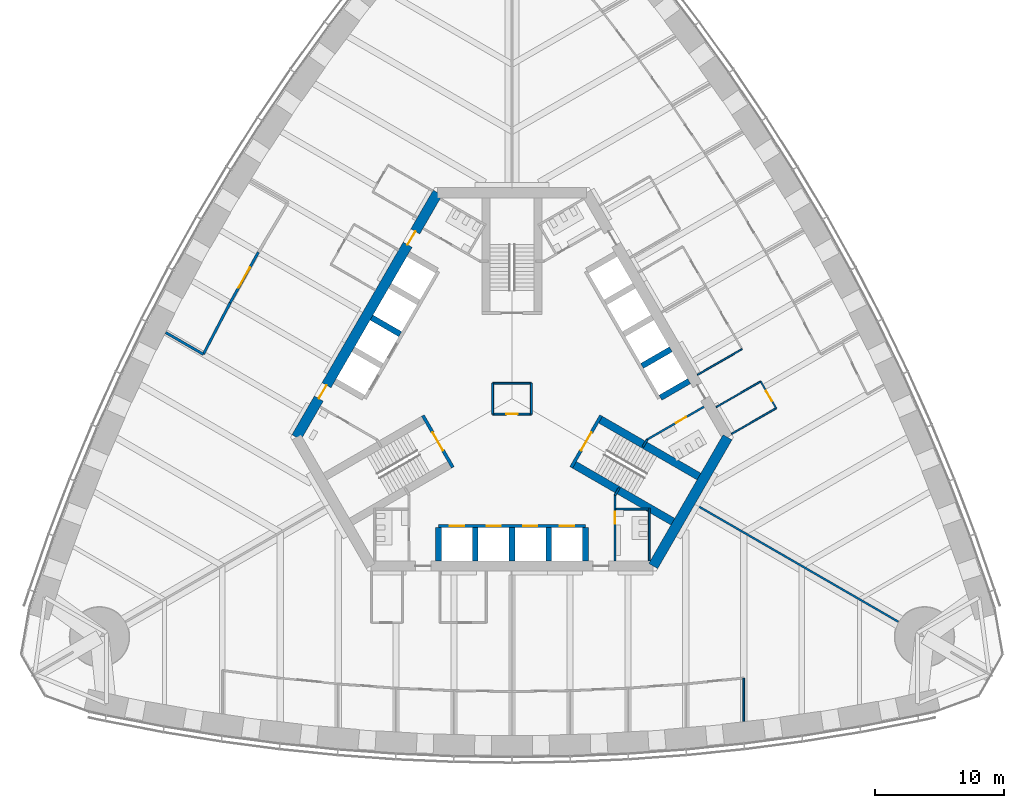
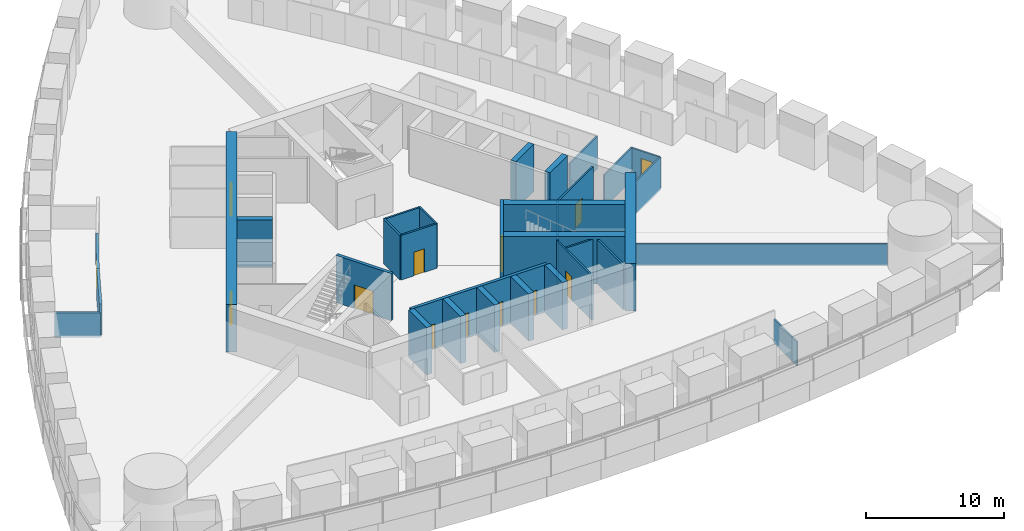
# One storey, part 11 of 18: 34 walls, 13 doors, 13 openings.
"""IFC4 building model written with IfcOpenShell, lengths in metres."""

from ifc_helpers import new_model, si_unit, direction, frame, frame_2d, origin, place, context, subcontext, project, spatial, rectangle, extrude, material, layer, layer_set, type_object, element, fill, save


model = new_model("IFC4")

# Units and contexts
model_context = context("Model", 3, precision=1e-05, world=origin(), true_north=direction((0.0, 1.0)))
body_context = subcontext(model_context, "Body", "Model", "MODEL_VIEW")
ifc_project = project(units=[si_unit("LENGTHUNIT", "METRE"), si_unit("AREAUNIT", "SQUARE_METRE"), si_unit("VOLUMEUNIT", "CUBIC_METRE"), si_unit("PLANEANGLEUNIT", "RADIAN"), si_unit("MASSUNIT", "GRAM", prefix="KILO")], contexts=[model_context])

# Site, building, storey
site_placement = place(None, origin())
site = spatial("IfcSite", under=ifc_project, at=site_placement, CompositionType="ELEMENT")
building_placement = place(site_placement, origin())
building = spatial("IfcBuilding", under=site, at=building_placement, Name="Trefoil Bronze Tower", CompositionType="ELEMENT")
storey_placement = place(building_placement, frame((0.0, 0.0, 87.89990234375)))
storey = spatial("IfcBuildingStorey", under=building, at=storey_placement, Name="L20", CompositionType="ELEMENT", Elevation=87.89990234375)

# Wall, opening, door
ifc_material_1 = material(Name="Gypsum board on steel studs", Category="steel")
ifc_layer_1 = layer(ifc_material_1, 0.199951171875)
ifc_layer_set_1 = layer_set([ifc_layer_1], Name="Acoustic partition 200")
wall_type_1 = type_object("IfcWallType", Name="Acoustic partition 200", PredefinedType="PARTITIONING", material=ifc_layer_set_1)
wall_1_placement = place(storey_placement, frame((-19.700927734375, 11.374267578125, 0.0), z_axis=(0.0, 0.0, 1.0), x_axis=(-0.487415216275, -0.87317031955, 0.0)))
wall_1 = element("IfcWall", 1, at=wall_1_placement, inside=storey, type_object=wall_type_1, Name="Partition F3 L20", PredefinedType="PARTITIONING", context=body_context, shape_type="SweptSolid", body=[
    extrude(rectangle(XDim=4.50048828125, YDim=0.199951171875, at=frame_2d((2.250244140625, 0.0))), origin(), (0.0, 0.0, 1.0), 2.900146484375),
])
opening_1_placement = place(wall_1_placement, frame((1.35009765625, 0.0, 0.14990234375)))
opening_1 = element("IfcOpeningElement", 2, at=opening_1_placement, cuts=wall_1, Name="Opening D10", PredefinedType="OPENING", context=body_context, shape_type="SweptSolid", body=[
    extrude(rectangle(XDim=1.800048828125, YDim=2.10009765625, at=frame_2d((0.89990234375, 1.050048828125))), frame((0.0, 0.10986328125, 0.0), z_axis=(0.0, -1.0, 0.0), x_axis=(1.0, 0.0, 0.0)), (0.0, 0.0, 1.0), 0.219970703125),
])
ifc_material_2 = material(Name="Timber door", Category="wood")
door_type_1 = type_object("IfcDoorType", Name="Double door 1800", OperationType="DOUBLE_DOOR_SINGLE_SWING", PredefinedType="DOOR", material=ifc_material_2)
door_1_placement = place(opening_1_placement, frame((1.800048828125, 0.0, 0.0), z_axis=(0.0, 0.0, 1.0), x_axis=(-1.0, 0.0, 0.0)))
door_1 = element("IfcDoor", 3, at=door_1_placement, inside=storey, type_object=door_type_1, Name="Training room door F3 L20", OperationType="DOUBLE_DOOR_SINGLE_SWING", OverallHeight=2.10009765625, OverallWidth=1.800048828125, PredefinedType="DOOR", context=body_context, shape_type="SweptSolid", body=[
    extrude(rectangle(XDim=1.800048828125, YDim=2.10009765625, at=frame_2d((0.89990234375, 1.050048828125))), frame((0.0, 0.02490234375, 0.0), z_axis=(0.0, -1.0, 0.0), x_axis=(1.0, 0.0, 0.0)), (0.0, 0.0, 1.0), 0.050048828125),
])
fill(opening_1, door_1)

# Walls
wall_2_placement = place(storey_placement, frame((-21.89453125, 7.444580078125, 0.0), z_axis=(0.0, 0.0, 1.0), x_axis=(-0.461810056307, -0.886978845235, 0.0)))
element("IfcWall", 4, at=wall_2_placement, inside=storey, type_object=wall_type_1, Name="Partition F3 L20", PredefinedType="PARTITIONING", context=body_context, shape_type="SweptSolid", body=[
    extrude(rectangle(XDim=4.504150390625, YDim=0.199951171875, at=frame_2d((2.251953125, 0.0))), origin(), (0.0, 0.0, 1.0), 2.900146484375),
])
wall_3_placement = place(storey_placement, frame((-23.974609375, 3.449462890625, 0.0), z_axis=(0.0, 0.0, 1.0), x_axis=(-0.866039498442, 0.499975586543, 0.0)))
element("IfcWall", 5, at=wall_3_placement, inside=storey, type_object=wall_type_1, Name="Partition F3 L20", PredefinedType="PARTITIONING", context=body_context, shape_type="SweptSolid", body=[
    extrude(rectangle(XDim=3.367431640625, YDim=0.199951171875, at=frame_2d((1.68359375, 0.0))), origin(), (0.0, 0.0, 1.0), 2.150146484375),
])
ifc_material_3 = material(Name="Concrete B80", Category="concrete")
ifc_layer_2 = layer(ifc_material_3, 0.800048828125)
ifc_layer_set_2 = layer_set([ifc_layer_2], Name="Core wall 800")
wall_type_2 = type_object("IfcWallType", Name="Core wall 800", PredefinedType="SHEAR", material=ifc_layer_set_2)
wall_4_placement = place(storey_placement, frame((10.9697265625, -13.0, 0.0), z_axis=(0.0, 0.0, 1.0), x_axis=(0.499995765644, 0.866027848477, 0.0)))
element("IfcWall", 6, at=wall_4_placement, inside=storey, type_object=wall_type_2, Name="Core short wall 1 L20", PredefinedType="SHEAR", context=body_context, shape_type="SweptSolid", body=[
    extrude(rectangle(XDim=11.546875, YDim=0.800048828125, at=frame_2d((5.7734375, 0.0))), origin(), (0.0, 0.0, 1.0), 4.2001953125),
])

# Wall, openings, doors
wall_5_placement = place(storey_placement, frame((-5.7734375, 16.0, 0.0), z_axis=(0.0, 0.0, 1.0), x_axis=(-0.500002442456, -0.866023993627, 0.0)))
wall_5 = element("IfcWall", 7, at=wall_5_placement, inside=storey, type_object=wall_type_2, Name="Core long wall 3 L20", PredefinedType="SHEAR", context=body_context, shape_type="SweptSolid", body=[
    extrude(rectangle(XDim=21.939453125, YDim=0.800048828125, at=frame_2d((10.9697265625, 0.0))), origin(), (0.0, 0.0, 1.0), 4.2001953125),
])
opening_2_placement = place(wall_5_placement, frame((17.269775390625, 0.0, 0.0)))
opening_2 = element("IfcOpeningElement", 8, at=opening_2_placement, cuts=wall_5, Name="Opening D2", PredefinedType="OPENING", context=body_context, shape_type="SweptSolid", body=[
    extrude(rectangle(XDim=1.199951171875, YDim=2.10009765625, at=frame_2d((0.60009765625, 1.050048828125))), frame((0.0, 0.409912109375, 0.0), z_axis=(0.0, -1.0, 0.0), x_axis=(1.0, 0.0, 0.0)), (0.0, 0.0, 1.0), 0.820068359375),
])
opening_3_placement = place(wall_5_placement, frame((3.4697265625, 0.0, 0.0)))
opening_3 = element("IfcOpeningElement", 9, at=opening_3_placement, cuts=wall_5, Name="Opening D2", PredefinedType="OPENING", context=body_context, shape_type="SweptSolid", body=[
    extrude(rectangle(XDim=1.199951171875, YDim=2.10009765625, at=frame_2d((0.60009765625, 1.050048828125))), frame((0.0, 0.409912109375, 0.0), z_axis=(0.0, -1.0, 0.0), x_axis=(1.0, 0.0, 0.0)), (0.0, 0.0, 1.0), 0.820068359375),
])
ifc_material_4 = material(Name="Steel door", Category="steel")
door_type_2 = type_object("IfcDoorType", Name="Lobby door 1200", OperationType="SINGLE_SWING_RIGHT", PredefinedType="DOOR", material=ifc_material_4)
door_2_placement = place(opening_2_placement, origin())
door_2 = element("IfcDoor", 10, at=door_2_placement, inside=storey, type_object=door_type_2, Name="Lobby door F3+ L20", OperationType="SINGLE_SWING_RIGHT", OverallHeight=2.10009765625, OverallWidth=1.199951171875, PredefinedType="DOOR", context=body_context, shape_type="SweptSolid", body=[
    extrude(rectangle(XDim=1.199951171875, YDim=2.10009765625, at=frame_2d((0.60009765625, 1.050048828125))), frame((0.0, 0.02490234375, 0.0), z_axis=(0.0, -1.0, 0.0), x_axis=(1.0, 0.0, 0.0)), (0.0, 0.0, 1.0), 0.050048828125),
])
fill(opening_2, door_2)
door_3_placement = place(opening_3_placement, origin())
door_3 = element("IfcDoor", 11, at=door_3_placement, inside=storey, type_object=door_type_2, Name="Lobby door F3- L20", OperationType="SINGLE_SWING_LEFT", OverallHeight=2.10009765625, OverallWidth=1.199951171875, PredefinedType="DOOR", context=body_context, shape_type="SweptSolid", body=[
    extrude(rectangle(XDim=1.199951171875, YDim=2.10009765625, at=frame_2d((0.60009765625, 1.050048828125))), frame((0.0, 0.02490234375, 0.0), z_axis=(0.0, -1.0, 0.0), x_axis=(1.0, 0.0, 0.0)), (0.0, 0.0, 1.0), 0.050048828125),
])
fill(opening_3, door_3)

# Wall
ifc_material_5 = material(Name="Glazed partition", Category="glass")
ifc_layer_3 = layer(ifc_material_5, 0.1201171875)
ifc_layer_set_3 = layer_set([ifc_layer_3], Name="Glazed partition 120")
wall_type_3 = type_object("IfcWallType", Name="Glazed partition 120", PredefinedType="PARTITIONING", material=ifc_layer_set_3)
wall_6_placement = place(storey_placement, frame((18.0, -21.70068359375, 0.0), z_axis=(0.0, 0.0, 1.0), x_axis=(0.0, -1.0, 0.0)))
element("IfcWall", 12, at=wall_6_placement, inside=storey, type_object=wall_type_3, Name="Partition F1 L20", PredefinedType="PARTITIONING", context=body_context, shape_type="SweptSolid", body=[
    extrude(rectangle(XDim=3.35888671875, YDim=0.1201171875, at=frame_2d((1.679443359375, 0.0))), origin(), (0.0, 0.0, 1.0), 2.150146484375),
])

# Wall, opening, door
wall_7_placement = place(storey_placement, frame((20.518798828125, -0.73974609375, 0.0), z_axis=(0.0, 0.0, 1.0), x_axis=(-0.499957262057, 0.866050077142, 0.0)))
wall_7 = element("IfcWall", 13, at=wall_7_placement, inside=storey, type_object=wall_type_3, Name="Partition F2 L20", PredefinedType="PARTITIONING", context=body_context, shape_type="SweptSolid", body=[
    extrude(rectangle(XDim=2.400146484375, YDim=0.1201171875, at=frame_2d((1.2001953125, 0.0))), origin(), (0.0, 0.0, 1.0), 2.900146484375),
])
opening_4_placement = place(wall_7_placement, frame((0.64990234375, 0.0, 0.14990234375)))
opening_4 = element("IfcOpeningElement", 14, at=opening_4_placement, cuts=wall_7, Name="Opening D8", PredefinedType="OPENING", context=body_context, shape_type="SweptSolid", body=[
    extrude(rectangle(XDim=0.89990234375, YDim=2.10009765625, at=frame_2d((0.449951171875, 1.050048828125))), frame((0.0, 0.070068359375, 0.0), z_axis=(0.0, -1.0, 0.0), x_axis=(1.0, 0.0, 0.0)), (0.0, 0.0, 1.0), 0.14013671875),
])
ifc_material_6 = material(Name="Timber door", Category="wood")
door_type_3 = type_object("IfcDoorType", Name="Office door 900", OperationType="SINGLE_SWING_LEFT", PredefinedType="DOOR", material=ifc_material_6)
door_4_placement = place(opening_4_placement, origin())
door_4 = element("IfcDoor", 15, at=door_4_placement, inside=storey, type_object=door_type_3, Name="Print and store room door F2 L20", OperationType="SINGLE_SWING_LEFT", OverallHeight=2.10009765625, OverallWidth=0.89990234375, PredefinedType="DOOR", context=body_context, shape_type="SweptSolid", body=[
    extrude(rectangle(XDim=0.89990234375, YDim=2.10009765625, at=frame_2d((0.449951171875, 1.050048828125))), frame((0.0, 0.02490234375, 0.0), z_axis=(0.0, -1.0, 0.0), x_axis=(1.0, 0.0, 0.0)), (0.0, 0.0, 1.0), 0.050048828125),
])
fill(opening_4, door_4)

# Walls
for number, where, z_axis, x_axis, name in (
    (16, (17.0546875, -2.73974609375, 0.0), (0.0, 0.0, 1.0), (0.866026010844, 0.49999894854, 0.0), "Partition F2 L20"),
    (17, (14.40478515625, 1.850341796875, 0.0), (0.0, 0.0, 1.0), (0.866026010844, 0.49999894854, 0.0), "Partition F2 L20"),
    (18, (15.854736328125, -0.6611328125, 0.0), (0.0, 0.0, 1.0), (0.866026010844, 0.49999894854, 0.0), "Partition F2 L20"),
):
    element("IfcWall", number, at=place(storey_placement, frame(where, z_axis=z_axis, x_axis=x_axis)), inside=storey, type_object=wall_type_3, Name=name, PredefinedType="PARTITIONING", context=body_context, shape_type="SweptSolid", body=[
        extrude(rectangle(XDim=4.0, YDim=0.1201171875, at=frame_2d((2.0, 0.0))), origin(), (0.0, 0.0, 1.0), 2.900146484375),
    ])
ifc_material_7 = material(Name="Concrete B80", Category="concrete")
ifc_layer_4 = layer(ifc_material_7, 0.449951171875)
ifc_layer_set_4 = layer_set([ifc_layer_4], Name="Outrigger shaft wall 450")
wall_type_4 = type_object("IfcWallType", Name="Outrigger shaft wall 450", PredefinedType="SHEAR", material=ifc_layer_set_4)
for number, where, z_axis, x_axis, name in (
    (19, (-5.699951171875, -10.02490234375, 0.0), (0.0, 0.0, 1.0), (0.0, -1.0, 0.0), "Lift shaft side wall A0 L20"),
    (20, (-2.85009765625, -10.02490234375, 0.0), (0.0, 0.0, 1.0), (0.0, -1.0, 0.0), "Lift shaft side wall A1 L20"),
    (21, (0.0, -10.02490234375, 0.0), (0.0, 0.0, 1.0), (0.0, -1.0, 0.0), "Lift shaft side wall A2 L20"),
    (22, (2.85009765625, -10.02490234375, 0.0), (0.0, 0.0, 1.0), (0.0, -1.0, 0.0), "Lift shaft side wall A3 L20"),
    (23, (5.699951171875, -10.02490234375, 0.0), (0.0, 0.0, 1.0), (0.0, -1.0, 0.0), "Lift shaft side wall A4 L20"),
):
    element("IfcWall", number, at=place(storey_placement, frame(where, z_axis=z_axis, x_axis=x_axis)), inside=storey, type_object=wall_type_4, Name=name, PredefinedType="SHEAR", context=body_context, shape_type="SweptSolid", body=[
        extrude(rectangle(XDim=2.5751953125, YDim=0.449951171875, at=frame_2d((1.28759765625, 0.0))), origin(), (0.0, 0.0, 1.0), 4.2001953125),
    ])
for number, where, z_axis, x_axis, name in (
    (24, (11.531982421875, 0.076171875, 0.0), (0.0, 0.0, 1.0), (0.866005588531, 0.500034319456, 0.0), "Lift shaft side wall B0 L20"),
    (25, (10.10693359375, 2.54443359375, 0.0), (0.0, 0.0, 1.0), (0.866046643894, 0.499963209246, 0.0), "Lift shaft side wall B1 L20"),
    (26, (-8.681884765625, 5.012451171875, 0.0), (0.0, 0.0, 1.0), (-0.866005588531, 0.500034319456, 0.0), "Lift shaft side wall C2 L20"),
):
    element("IfcWall", number, at=place(storey_placement, frame(where, z_axis=z_axis, x_axis=x_axis)), inside=storey, type_object=wall_type_4, Name=name, PredefinedType="SHEAR", context=body_context, shape_type="SweptSolid", body=[
        extrude(rectangle(XDim=2.574951171875, YDim=0.449951171875, at=frame_2d((1.28759765625, 0.0))), origin(), (0.0, 0.0, 1.0), 4.2001953125),
    ])

# Wall, opening, door
ifc_material_8 = material(Name="Gypsum board on steel studs", Category="steel")
ifc_layer_5 = layer(ifc_material_8, 0.14990234375)
ifc_layer_set_5 = layer_set([ifc_layer_5], Name="Partition 150")
wall_type_5 = type_object("IfcWallType", Name="Partition 150", PredefinedType="PARTITIONING", material=ifc_layer_set_5)
wall_8_placement = place(storey_placement, frame((8.0, -7.5, 0.0), z_axis=(0.0, 0.0, 1.0), x_axis=(0.0, -1.0, 0.0)))
wall_8 = element("IfcWall", 27, at=wall_8_placement, inside=storey, type_object=wall_type_5, Name="Passage wall F1+ L20", PredefinedType="PARTITIONING", context=body_context, shape_type="SweptSolid", body=[
    extrude(rectangle(XDim=5.10009765625, YDim=0.14990234375, at=frame_2d((2.550048828125, 0.0))), origin(), (0.0, 0.0, 1.0), 3.9501953125),
])
opening_5_placement = place(wall_8_placement, frame((1.300048828125, 0.0, 0.0)))
opening_5 = element("IfcOpeningElement", 28, at=opening_5_placement, cuts=wall_8, Name="Opening D3", PredefinedType="OPENING", context=body_context, shape_type="SweptSolid", body=[
    extrude(rectangle(XDim=0.89990234375, YDim=2.10009765625, at=frame_2d((0.449951171875, 1.050048828125))), frame((0.0, 0.0849609375, 0.0), z_axis=(0.0, -1.0, 0.0), x_axis=(1.0, 0.0, 0.0)), (0.0, 0.0, 1.0), 0.169921875),
])
ifc_material_9 = material(Name="Timber door", Category="wood")
door_type_4 = type_object("IfcDoorType", Name="WC door 900", OperationType="SINGLE_SWING_LEFT", PredefinedType="DOOR", material=ifc_material_9)
door_5_placement = place(opening_5_placement, origin())
door_5 = element("IfcDoor", 29, at=door_5_placement, inside=storey, type_object=door_type_4, Name="WC (men) door L20", OperationType="SINGLE_SWING_LEFT", OverallHeight=2.10009765625, OverallWidth=0.89990234375, PredefinedType="DOOR", context=body_context, shape_type="SweptSolid", body=[
    extrude(rectangle(XDim=0.89990234375, YDim=2.10009765625, at=frame_2d((0.449951171875, 1.050048828125))), frame((0.0, 0.02490234375, 0.0), z_axis=(0.0, -1.0, 0.0), x_axis=(1.0, 0.0, 0.0)), (0.0, 0.0, 1.0), 0.050048828125),
])
fill(opening_5, door_5)

wall_9_placement = place(storey_placement, frame((10.4951171875, -3.17822265625, 0.0), z_axis=(0.0, 0.0, 1.0), x_axis=(0.86602216432, 0.500005610874, 0.0)))
wall_9 = element("IfcWall", 30, at=wall_9_placement, inside=storey, type_object=wall_type_5, Name="Passage wall F2- L20", PredefinedType="PARTITIONING", context=body_context, shape_type="SweptSolid", body=[
    extrude(rectangle(XDim=5.10009765625, YDim=0.14990234375, at=frame_2d((2.550048828125, 0.0))), origin(), (0.0, 0.0, 1.0), 3.9501953125),
])
opening_6_placement = place(wall_9_placement, frame((2.60009765625, 0.0, 0.0)))
opening_6 = element("IfcOpeningElement", 31, at=opening_6_placement, cuts=wall_9, Name="Opening D3", PredefinedType="OPENING", context=body_context, shape_type="SweptSolid", body=[
    extrude(rectangle(XDim=0.89990234375, YDim=2.10009765625, at=frame_2d((0.449951171875, 1.050048828125))), frame((0.0, 0.0849609375, 0.0), z_axis=(0.0, -1.0, 0.0), x_axis=(1.0, 0.0, 0.0)), (0.0, 0.0, 1.0), 0.169921875),
])
door_6_placement = place(opening_6_placement, frame((0.89990234375, 0.0, 0.0), z_axis=(0.0, 0.0, 1.0), x_axis=(-1.0, 0.0, 0.0)))
door_6 = element("IfcDoor", 32, at=door_6_placement, inside=storey, type_object=door_type_4, Name="WC (women) door L20", OperationType="SINGLE_SWING_LEFT", OverallHeight=2.10009765625, OverallWidth=0.89990234375, PredefinedType="DOOR", context=body_context, shape_type="SweptSolid", body=[
    extrude(rectangle(XDim=0.89990234375, YDim=2.10009765625, at=frame_2d((0.449951171875, 1.050048828125))), frame((0.0, 0.02490234375, 0.0), z_axis=(0.0, -1.0, 0.0), x_axis=(1.0, 0.0, 0.0)), (0.0, 0.0, 1.0), 0.050048828125),
])
fill(opening_6, door_6)

# Walls
for number, where, z_axis, x_axis, name in (
    (33, (8.0, -7.5, 0.0), (0.0, 0.0, 1.0), (0.499842556608, 0.866116284689, 0.0), "WC wall ST1-1 L20"),
    (34, (10.4951171875, -3.17822265625, 0.0), (0.0, 0.0, 1.0), (-0.499842556608, -0.866116284689, 0.0), "WC wall ST1+1 L20"),
):
    element("IfcWall", number, at=place(storey_placement, frame(where, z_axis=z_axis, x_axis=x_axis)), inside=storey, type_object=wall_type_5, Name=name, PredefinedType="PARTITIONING", context=body_context, shape_type="SweptSolid", body=[
        extrude(rectangle(XDim=0.645263671875, YDim=0.14990234375, at=frame_2d((0.32275390625, 0.0))), origin(), (0.0, 0.0, 1.0), 3.9501953125),
    ])
wall_10_placement = place(storey_placement, frame((10.659912109375, -8.5, 0.0), z_axis=(0.0, 0.0, 1.0), x_axis=(0.0, -1.0, 0.0)))
element("IfcWall", 35, at=wall_10_placement, inside=storey, type_object=wall_type_5, Name="WC partition WC (men) L20", PredefinedType="PARTITIONING", context=body_context, shape_type="SweptSolid", body=[
    extrude(rectangle(XDim=4.10009765625, YDim=0.14990234375, at=frame_2d((2.050048828125, 0.0))), origin(), (0.0, 0.0, 1.0), 3.9501953125),
])
wall_11_placement = place(storey_placement, frame((8.074951171875, -8.574951171875, 0.0), z_axis=(0.0, 0.0, 1.0), x_axis=(1.0, 0.0, 0.0)))
element("IfcWall", 36, at=wall_11_placement, inside=storey, type_object=wall_type_5, Name="WC partition WC (men) L20", PredefinedType="PARTITIONING", context=body_context, shape_type="SweptSolid", body=[
    extrude(rectangle(XDim=2.510009765625, YDim=0.14990234375, at=frame_2d((1.2548828125, 0.0))), origin(), (0.0, 0.0, 1.0), 3.9501953125),
])
ifc_material_10 = material(Name="Gypsum board on steel studs", Category="steel")
ifc_layer_6 = layer(ifc_material_10, 0.14990234375)
ifc_layer_set_6 = layer_set([ifc_layer_6], Name="Party wall 150")
wall_type_6 = type_object("IfcWallType", Name="Party wall 150", PredefinedType="PARTITIONING", material=ifc_layer_set_6)
wall_12_placement = place(storey_placement, frame((14.202880859375, -8.199951171875, 0.0), z_axis=(0.0, 0.0, 1.0), x_axis=(0.866024965723, -0.500000758745, 0.0)))
element("IfcWall", 37, at=wall_12_placement, inside=storey, type_object=wall_type_6, Name="Party wall K1 L20", PredefinedType="PARTITIONING", context=body_context, shape_type="SweptSolid", body=[
    extrude(rectangle(XDim=18.25, YDim=0.14990234375, at=frame_2d((9.125, 0.0))), origin(), (0.0, 0.0, 1.0), 1.9501953125),
])

# Wall, opening, door
ifc_material_11 = material(Name="Gypsum board on steel studs", Category="steel")
ifc_layer_7 = layer(ifc_material_11, 0.14990234375)
ifc_layer_set_7 = layer_set([ifc_layer_7], Name="Riser wall 150")
wall_type_7 = type_object("IfcWallType", Name="Riser wall 150", PredefinedType="PARTITIONING", material=ifc_layer_set_7)
wall_13_placement = place(storey_placement, frame((-1.5, -1.199951171875, 0.0), z_axis=(0.0, 0.0, 1.0), x_axis=(1.0, 0.0, 0.0)))
wall_13 = element("IfcWall", 38, at=wall_13_placement, inside=storey, type_object=wall_type_7, Name="Riser wall L20", PredefinedType="PARTITIONING", context=body_context, shape_type="SweptSolid", body=[
    extrude(rectangle(XDim=3.0, YDim=0.14990234375, at=frame_2d((1.5, 0.0))), origin(), (0.0, 0.0, 1.0), 3.9501953125),
])
opening_7_placement = place(wall_13_placement, frame((1.050048828125, 0.0, 0.0)))
opening_7 = element("IfcOpeningElement", 39, at=opening_7_placement, cuts=wall_13, Name="Opening D4", PredefinedType="OPENING", context=body_context, shape_type="SweptSolid", body=[
    extrude(rectangle(XDim=0.89990234375, YDim=2.10009765625, at=frame_2d((0.449951171875, 1.050048828125))), frame((0.0, 0.0849609375, 0.0), z_axis=(0.0, -1.0, 0.0), x_axis=(1.0, 0.0, 0.0)), (0.0, 0.0, 1.0), 0.169921875),
])
ifc_material_12 = material(Name="Steel door", Category="steel")
door_type_5 = type_object("IfcDoorType", Name="Riser door 900", OperationType="SINGLE_SWING_LEFT", PredefinedType="DOOR", material=ifc_material_12)
door_7_placement = place(opening_7_placement, frame((0.89990234375, 0.0, 0.0), z_axis=(0.0, 0.0, 1.0), x_axis=(-1.0, 0.0, 0.0)))
door_7 = element("IfcDoor", 40, at=door_7_placement, inside=storey, type_object=door_type_5, Name="Riser door L20", OperationType="SINGLE_SWING_LEFT", OverallHeight=2.10009765625, OverallWidth=0.89990234375, PredefinedType="DOOR", context=body_context, shape_type="SweptSolid", body=[
    extrude(rectangle(XDim=0.89990234375, YDim=2.10009765625, at=frame_2d((0.449951171875, 1.050048828125))), frame((0.0, 0.02490234375, 0.0), z_axis=(0.0, -1.0, 0.0), x_axis=(1.0, 0.0, 0.0)), (0.0, 0.0, 1.0), 0.050048828125),
])
fill(opening_7, door_7)

# Walls
wall_14_placement = place(storey_placement, frame((1.5, -1.199951171875, 0.0), z_axis=(0.0, 0.0, 1.0), x_axis=(0.0, 1.0, 0.0)))
element("IfcWall", 41, at=wall_14_placement, inside=storey, type_object=wall_type_7, Name="Riser wall L20", PredefinedType="PARTITIONING", context=body_context, shape_type="SweptSolid", body=[
    extrude(rectangle(XDim=2.39990234375, YDim=0.14990234375, at=frame_2d((1.199951171875, 0.0))), origin(), (0.0, 0.0, 1.0), 3.9501953125),
])
wall_15_placement = place(storey_placement, frame((1.5, 1.199951171875, 0.0), z_axis=(0.0, 0.0, 1.0), x_axis=(-1.0, 0.0, 0.0)))
element("IfcWall", 42, at=wall_15_placement, inside=storey, type_object=wall_type_7, Name="Riser wall L20", PredefinedType="PARTITIONING", context=body_context, shape_type="SweptSolid", body=[
    extrude(rectangle(XDim=3.0, YDim=0.14990234375, at=frame_2d((1.5, 0.0))), origin(), (0.0, 0.0, 1.0), 3.9501953125),
])
wall_16_placement = place(storey_placement, frame((-1.5, 1.199951171875, 0.0), z_axis=(0.0, 0.0, 1.0), x_axis=(0.0, -1.0, 0.0)))
element("IfcWall", 43, at=wall_16_placement, inside=storey, type_object=wall_type_7, Name="Riser wall L20", PredefinedType="PARTITIONING", context=body_context, shape_type="SweptSolid", body=[
    extrude(rectangle(XDim=2.39990234375, YDim=0.14990234375, at=frame_2d((1.199951171875, 0.0))), origin(), (0.0, 0.0, 1.0), 3.9501953125),
])

# Wall, openings, doors
ifc_material_13 = material(Name="Concrete B80", Category="concrete")
ifc_layer_8 = layer(ifc_material_13, 0.25)
ifc_layer_set_8 = layer_set([ifc_layer_8], Name="Shaft wall 250")
wall_type_8 = type_object("IfcWallType", Name="Shaft wall 250", PredefinedType="SHEAR", material=ifc_layer_set_8)
wall_17_placement = place(storey_placement, frame((-5.699951171875, -9.89990234375, 0.0), z_axis=(0.0, 0.0, 1.0), x_axis=(1.0, 0.0, 0.0)))
wall_17 = element("IfcWall", 44, at=wall_17_placement, inside=storey, type_object=wall_type_8, Name="Lift shaft front wall A L20", PredefinedType="SHEAR", context=body_context, shape_type="SweptSolid", body=[
    extrude(rectangle(XDim=11.39990234375, YDim=0.25, at=frame_2d((5.699951171875, 0.0))), origin(), (0.0, 0.0, 1.0), 4.2001953125),
])
opening_8_placement = place(wall_17_placement, frame((0.875, 0.0, 0.0)))
opening_8 = element("IfcOpeningElement", 45, at=opening_8_placement, cuts=wall_17, Name="Opening LD-P11", PredefinedType="OPENING", context=body_context, shape_type="SweptSolid", body=[
    extrude(rectangle(XDim=1.10009765625, YDim=2.199951171875, at=frame_2d((0.550048828125, 1.10009765625))), frame((0.0, 0.135009765625, 0.0), z_axis=(0.0, -1.0, 0.0), x_axis=(1.0, 0.0, 0.0)), (0.0, 0.0, 1.0), 0.27001953125),
])
opening_9_placement = place(wall_17_placement, frame((3.72509765625, 0.0, 0.0)))
opening_9 = element("IfcOpeningElement", 46, at=opening_9_placement, cuts=wall_17, Name="Opening LD-P12", PredefinedType="OPENING", context=body_context, shape_type="SweptSolid", body=[
    extrude(rectangle(XDim=1.10009765625, YDim=2.199951171875, at=frame_2d((0.550048828125, 1.10009765625))), frame((0.0, 0.135009765625, 0.0), z_axis=(0.0, -1.0, 0.0), x_axis=(1.0, 0.0, 0.0)), (0.0, 0.0, 1.0), 0.27001953125),
])
opening_10_placement = place(wall_17_placement, frame((6.574951171875, 0.0, 0.0)))
opening_10 = element("IfcOpeningElement", 47, at=opening_10_placement, cuts=wall_17, Name="Opening LD-P13", PredefinedType="OPENING", context=body_context, shape_type="SweptSolid", body=[
    extrude(rectangle(XDim=1.10009765625, YDim=2.199951171875, at=frame_2d((0.550048828125, 1.10009765625))), frame((0.0, 0.135009765625, 0.0), z_axis=(0.0, -1.0, 0.0), x_axis=(1.0, 0.0, 0.0)), (0.0, 0.0, 1.0), 0.27001953125),
])
opening_11_placement = place(wall_17_placement, frame((9.425048828125, 0.0, 0.0)))
opening_11 = element("IfcOpeningElement", 48, at=opening_11_placement, cuts=wall_17, Name="Opening LD-P14", PredefinedType="OPENING", context=body_context, shape_type="SweptSolid", body=[
    extrude(rectangle(XDim=1.10009765625, YDim=2.199951171875, at=frame_2d((0.550048828125, 1.10009765625))), frame((0.0, 0.135009765625, 0.0), z_axis=(0.0, -1.0, 0.0), x_axis=(1.0, 0.0, 0.0)), (0.0, 0.0, 1.0), 0.27001953125),
])
ifc_material_14 = material(Name="Steel door", Category="steel")
door_type_6 = type_object("IfcDoorType", Name="Lift landing door 1100", OperationType="DOUBLE_DOOR_SLIDING", PredefinedType="DOOR", material=ifc_material_14)
door_8_placement = place(opening_8_placement, origin())
door_8 = element("IfcDoor", 49, at=door_8_placement, inside=storey, type_object=door_type_6, Name="Lift P11 landing door L20", OperationType="DOUBLE_DOOR_SLIDING", OverallHeight=2.199951171875, OverallWidth=1.10009765625, PredefinedType="DOOR", context=body_context, shape_type="SweptSolid", body=[
    extrude(rectangle(XDim=1.10009765625, YDim=2.199951171875, at=frame_2d((0.550048828125, 1.10009765625))), frame((0.0, 0.02490234375, 0.0), z_axis=(0.0, -1.0, 0.0), x_axis=(1.0, 0.0, 0.0)), (0.0, 0.0, 1.0), 0.050048828125),
])
fill(opening_8, door_8)
door_9_placement = place(opening_9_placement, origin())
door_9 = element("IfcDoor", 50, at=door_9_placement, inside=storey, type_object=door_type_6, Name="Lift P12 landing door L20", OperationType="DOUBLE_DOOR_SLIDING", OverallHeight=2.199951171875, OverallWidth=1.10009765625, PredefinedType="DOOR", context=body_context, shape_type="SweptSolid", body=[
    extrude(rectangle(XDim=1.10009765625, YDim=2.199951171875, at=frame_2d((0.550048828125, 1.10009765625))), frame((0.0, 0.02490234375, 0.0), z_axis=(0.0, -1.0, 0.0), x_axis=(1.0, 0.0, 0.0)), (0.0, 0.0, 1.0), 0.050048828125),
])
fill(opening_9, door_9)
door_10_placement = place(opening_10_placement, origin())
door_10 = element("IfcDoor", 51, at=door_10_placement, inside=storey, type_object=door_type_6, Name="Lift P13 landing door L20", OperationType="DOUBLE_DOOR_SLIDING", OverallHeight=2.199951171875, OverallWidth=1.10009765625, PredefinedType="DOOR", context=body_context, shape_type="SweptSolid", body=[
    extrude(rectangle(XDim=1.10009765625, YDim=2.199951171875, at=frame_2d((0.550048828125, 1.10009765625))), frame((0.0, 0.02490234375, 0.0), z_axis=(0.0, -1.0, 0.0), x_axis=(1.0, 0.0, 0.0)), (0.0, 0.0, 1.0), 0.050048828125),
])
fill(opening_10, door_10)
door_11_placement = place(opening_11_placement, origin())
door_11 = element("IfcDoor", 52, at=door_11_placement, inside=storey, type_object=door_type_6, Name="Lift P14 landing door L20", OperationType="DOUBLE_DOOR_SLIDING", OverallHeight=2.199951171875, OverallWidth=1.10009765625, PredefinedType="DOOR", context=body_context, shape_type="SweptSolid", body=[
    extrude(rectangle(XDim=1.10009765625, YDim=2.199951171875, at=frame_2d((0.550048828125, 1.10009765625))), frame((0.0, 0.02490234375, 0.0), z_axis=(0.0, -1.0, 0.0), x_axis=(1.0, 0.0, 0.0)), (0.0, 0.0, 1.0), 0.050048828125),
])
fill(opening_11, door_11)

# Wall, opening, door
wall_18_placement = place(storey_placement, frame((4.5966796875, -5.338623046875, 0.0), z_axis=(0.0, 0.0, 1.0), x_axis=(0.499984536904, 0.866034331223, 0.0)))
wall_18 = element("IfcWall", 53, at=wall_18_placement, inside=storey, type_object=wall_type_8, Name="Stair end wall ST1 L20", PredefinedType="SHEAR", context=body_context, shape_type="SweptSolid", body=[
    extrude(rectangle(XDim=4.650146484375, YDim=0.25, at=frame_2d((2.3251953125, 0.0))), origin(), (0.0, 0.0, 1.0), 4.2001953125),
])
opening_12_placement = place(wall_18_placement, frame((1.52490234375, 0.0, 0.0)))
opening_12 = element("IfcOpeningElement", 54, at=opening_12_placement, cuts=wall_18, Name="Opening D1", PredefinedType="OPENING", context=body_context, shape_type="SweptSolid", body=[
    extrude(rectangle(XDim=1.60009765625, YDim=2.10009765625, at=frame_2d((0.800048828125, 1.050048828125))), frame((0.0, 0.135009765625, 0.0), z_axis=(0.0, -1.0, 0.0), x_axis=(1.0, 0.0, 0.0)), (0.0, 0.0, 1.0), 0.27001953125),
])
ifc_material_15 = material(Name="Steel door", Category="steel")
door_type_7 = type_object("IfcDoorType", Name="Stair door 1600", OperationType="DOUBLE_DOOR_SINGLE_SWING", PredefinedType="DOOR", material=ifc_material_15)
door_12_placement = place(opening_12_placement, frame((1.60009765625, 0.0, 0.0), z_axis=(0.0, 0.0, 1.0), x_axis=(-1.0, 0.0, 0.0)))
door_12 = element("IfcDoor", 55, at=door_12_placement, inside=storey, type_object=door_type_7, Name="Stair door ST1 L20", OperationType="DOUBLE_DOOR_SINGLE_SWING", OverallHeight=2.10009765625, OverallWidth=1.60009765625, PredefinedType="DOOR", context=body_context, shape_type="SweptSolid", body=[
    extrude(rectangle(XDim=1.60009765625, YDim=2.10009765625, at=frame_2d((0.800048828125, 1.050048828125))), frame((0.0, 0.02490234375, 0.0), z_axis=(0.0, -1.0, 0.0), x_axis=(1.0, 0.0, 0.0)), (0.0, 0.0, 1.0), 0.050048828125),
])
fill(opening_12, door_12)

wall_19_placement = place(storey_placement, frame((-6.921630859375, -1.3115234375, 0.0), z_axis=(0.0, 0.0, 1.0), x_axis=(0.499984536904, -0.866034331223, 0.0)))
wall_19 = element("IfcWall", 56, at=wall_19_placement, inside=storey, type_object=wall_type_8, Name="Stair end wall ST3 L20", PredefinedType="SHEAR", context=body_context, shape_type="SweptSolid", body=[
    extrude(rectangle(XDim=4.650146484375, YDim=0.25, at=frame_2d((2.3251953125, 0.0))), origin(), (0.0, 0.0, 1.0), 4.2001953125),
])
opening_13_placement = place(wall_19_placement, frame((1.52490234375, 0.0, 0.0)))
opening_13 = element("IfcOpeningElement", 57, at=opening_13_placement, cuts=wall_19, Name="Opening D1", PredefinedType="OPENING", context=body_context, shape_type="SweptSolid", body=[
    extrude(rectangle(XDim=1.60009765625, YDim=2.10009765625, at=frame_2d((0.800048828125, 1.050048828125))), frame((0.0, 0.135009765625, 0.0), z_axis=(0.0, -1.0, 0.0), x_axis=(1.0, 0.0, 0.0)), (0.0, 0.0, 1.0), 0.27001953125),
])
door_13_placement = place(opening_13_placement, frame((1.60009765625, 0.0, 0.0), z_axis=(0.0, 0.0, 1.0), x_axis=(-1.0, 0.0, 0.0)))
door_13 = element("IfcDoor", 58, at=door_13_placement, inside=storey, type_object=door_type_7, Name="Stair door ST3 L20", OperationType="DOUBLE_DOOR_SINGLE_SWING", OverallHeight=2.10009765625, OverallWidth=1.60009765625, PredefinedType="DOOR", context=body_context, shape_type="SweptSolid", body=[
    extrude(rectangle(XDim=1.60009765625, YDim=2.10009765625, at=frame_2d((0.800048828125, 1.050048828125))), frame((0.0, 0.02490234375, 0.0), z_axis=(0.0, -1.0, 0.0), x_axis=(1.0, 0.0, 0.0)), (0.0, 0.0, 1.0), 0.050048828125),
])
fill(opening_13, door_13)

# Walls
ifc_material_16 = material(Name="Concrete B80", Category="concrete")
ifc_layer_9 = layer(ifc_material_16, 0.60009765625)
ifc_layer_set_9 = layer_set([ifc_layer_9], Name="Stair wall 600")
wall_type_9 = type_object("IfcWallType", Name="Stair wall 600", PredefinedType="SHEAR", material=ifc_layer_set_9)
for number, where, z_axis, x_axis, name in (
    (59, (4.638427734375, -5.01611328125, 0.0), (0.0, 0.0, 1.0), (0.866019375473, -0.500010441196, 0.0), "Stair wall ST1 L20"),
    (60, (6.663330078125, -1.5087890625, 0.0), (0.0, 0.0, 1.0), (0.866019375473, -0.500010441196, 0.0), "Stair wall ST1 L20"),
):
    element("IfcWall", number, at=place(storey_placement, frame(where, z_axis=z_axis, x_axis=x_axis)), inside=storey, type_object=wall_type_9, Name=name, PredefinedType="SHEAR", context=body_context, shape_type="SweptSolid", body=[
        extrude(rectangle(XDim=9.074951171875, YDim=0.60009765625, at=frame_2d((4.53759765625, 0.0))), origin(), (0.0, 0.0, 1.0), 4.2001953125),
    ])

save(model, "model.ifc")
